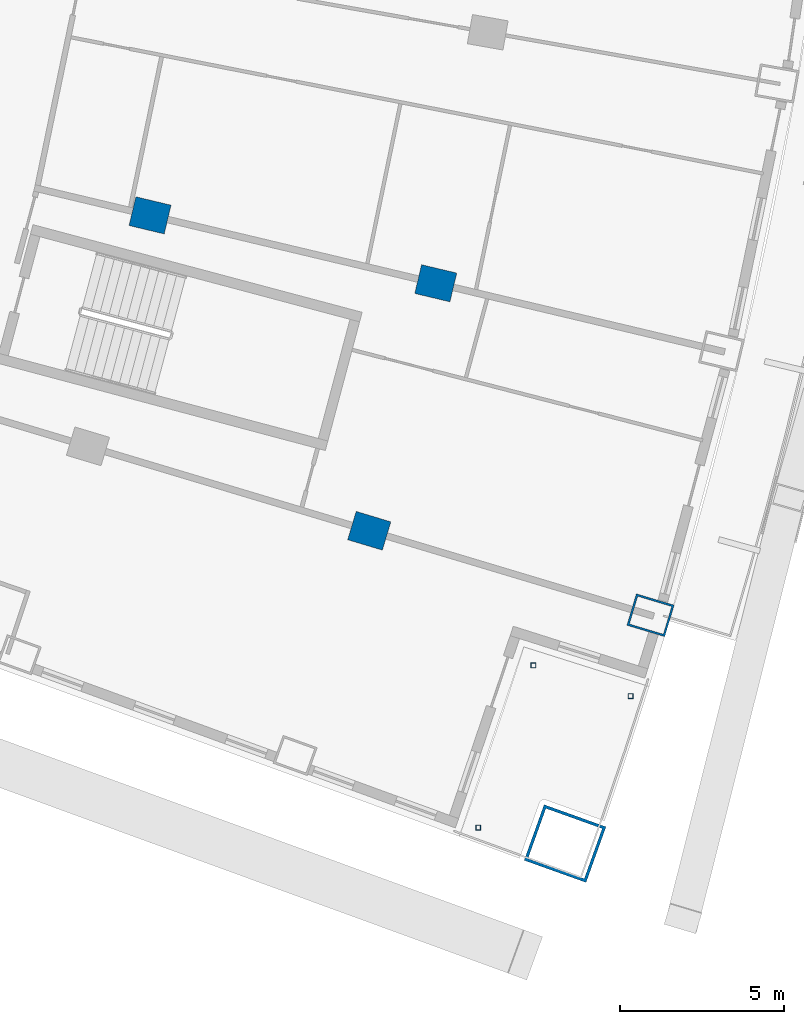
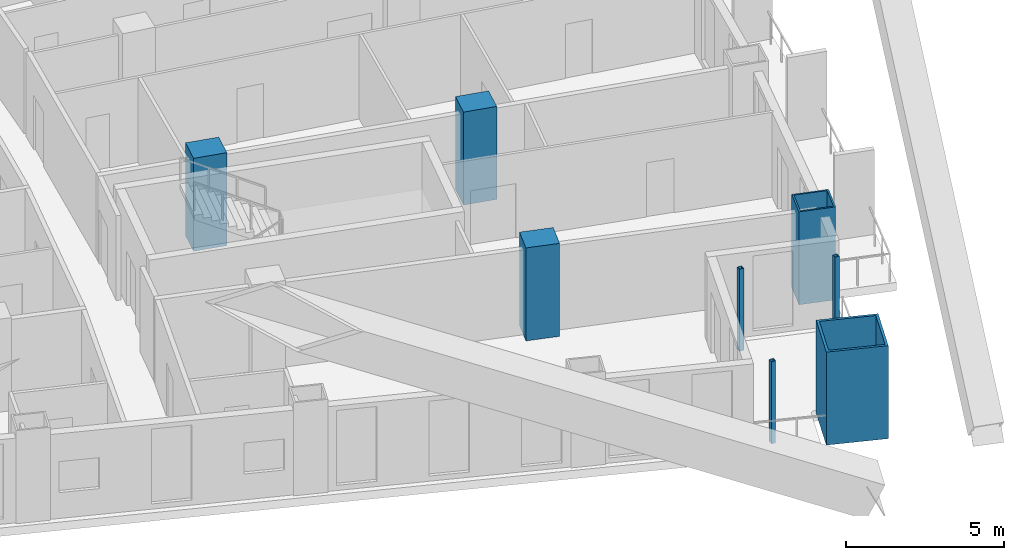
# One storey, part 4 of 23: 8 columns.
"""IFC4 building model written with IfcOpenShell, lengths in metres."""

from ifc_helpers import new_model, si_unit, direction, frame, origin, origin_2d, place, context, subcontext, project, spatial, rectangle, hollow_rectangle, extrude, material, material_profile, profile_set, type_object, element, save


model = new_model("IFC4")

# Units and contexts
model_context = context("Model", 3, precision=1e-05, world=origin(), true_north=direction((0.0, 1.0)))
body_context = subcontext(model_context, "Body", "Model", "MODEL_VIEW")
ifc_project = project(units=[si_unit("LENGTHUNIT", "METRE"), si_unit("AREAUNIT", "SQUARE_METRE"), si_unit("VOLUMEUNIT", "CUBIC_METRE"), si_unit("PLANEANGLEUNIT", "RADIAN"), si_unit("MASSUNIT", "GRAM", prefix="KILO")], contexts=[model_context])

# Site, building, storey
site_placement = place(None, origin())
site = spatial("IfcSite", under=ifc_project, at=site_placement, CompositionType="ELEMENT")
building_placement = place(site_placement, origin())
building = spatial("IfcBuilding", under=site, at=building_placement, Name="Alderwake Tower", CompositionType="ELEMENT")
storey_placement = place(building_placement, frame((0.0, 0.0, 53.60009765625)))
storey = spatial("IfcBuildingStorey", under=building, at=storey_placement, Name="L12", CompositionType="ELEMENT", Elevation=53.60009765625)

# Columns
ifc_material_1 = material(Name="Concrete C70/85", Category="concrete")
ifc_material_profile_1 = material_profile(ifc_material_1, rectangle(XDim=0.89990234375, YDim=1.10009765625, at=origin_2d()), Name="RC 1100X900")
ifc_profile_set_1 = profile_set([ifc_material_profile_1], Name="Concrete C70/85")
column_type_1 = type_object("IfcColumnType", Name="Interior column Z1", PredefinedType="COLUMN", material=ifc_profile_set_1)
for number, where, z_axis, x_axis, name in (
    (1, (48.021484375, 22.564208984375, 0.0), (0.0, 0.0, 1.0), (0.287549418125, 0.957765802342, 0.0), "Column R02-C4"),
    (2, (41.353271484375, 32.158935546875, 0.0), (0.0, 0.0, 1.0), (0.231221547198, 0.972901123502, 0.0), "Column R03-C3"),
    (3, (50.04443359375, 30.09326171875, 0.0), (0.0, 0.0, 1.0), (0.231221547198, 0.972901123502, 0.0), "Column R03-C4"),
):
    element("IfcColumn", number, at=place(storey_placement, frame(where, z_axis=z_axis, x_axis=x_axis)), inside=storey, type_object=column_type_1, Name=name, PredefinedType="COLUMN", context=body_context, shape_type="SweptSolid", body=[
        extrude(rectangle(XDim=0.89990234375, YDim=1.10009765625, at=origin_2d()), origin(), (0.0, 0.0, 1.0), 3.599853515625),
    ])
ifc_material_2 = material(Name="Steel ASTM A500 Grade C", Category="steel")
ifc_material_profile_2 = material_profile(ifc_material_2, hollow_rectangle(XDim=0.15234375, YDim=0.15234375, WallThickness=0.0087890625, at=origin_2d()), Name="HSS6X6X3/8")
ifc_profile_set_2 = profile_set([ifc_material_profile_2], Name="Steel ASTM A500 Grade C")
column_type_2 = type_object("IfcColumnType", Name="Light post HSS6X6X3/8", PredefinedType="COLUMN", material=ifc_profile_set_2)
for number, where, z_axis, x_axis, name in (
    (4, (55.9716796875, 17.5341796875, 0.0), (0.0, 0.0, 1.0), (1.0, 0.0, 0.0), "Terrace post FS1"),
    (5, (51.3369140625, 13.537353515625, 0.0), (0.0, 0.0, 1.0), (1.0, 0.0, 0.0), "Terrace post FS2"),
    (6, (53.015869140625, 18.46875, 0.0), (0.0, 0.0, 1.0), (1.0, 0.0, 0.0), "Terrace post FS3"),
):
    element("IfcColumn", number, at=place(storey_placement, frame(where, z_axis=z_axis, x_axis=x_axis)), inside=storey, type_object=column_type_2, Name=name, PredefinedType="COLUMN", context=body_context, shape_type="SweptSolid", body=[
        extrude(hollow_rectangle(XDim=0.15234375, YDim=0.15234375, WallThickness=0.0087890625, at=origin_2d()), origin(), (0.0, 0.0, 1.0), 3.179931640625),
    ])
ifc_material_3 = material(Name="Steel ASTM A572 Grade 50 concrete filled C70/85", Category="concrete")
ifc_material_profile_3 = material_profile(ifc_material_3, hollow_rectangle(XDim=1.800048828125, YDim=2.0, WallThickness=0.090087890625, at=origin_2d()), Name="BOX 2000X1800X90")
ifc_profile_set_3 = profile_set([ifc_material_profile_3], Name="Steel ASTM A572 Grade 50 concrete filled C70/85")
column_type_3 = type_object("IfcColumnType", Name="Mega column Z1", PredefinedType="COLUMN", material=ifc_profile_set_3)
column_1_placement = place(storey_placement, frame((53.97802734375, 13.05029296875, 0.0), z_axis=(0.0, 0.0, 1.0), x_axis=(0.336962157792, 0.941518191123, 0.0)))
element("IfcColumn", 7, at=column_1_placement, inside=storey, type_object=column_type_3, Name="Column R01-C5", PredefinedType="COLUMN", context=body_context, shape_type="SweptSolid", body=[
    extrude(hollow_rectangle(XDim=1.800048828125, YDim=2.0, WallThickness=0.090087890625, at=origin_2d()), origin(), (0.0, 0.0, 1.0), 3.599853515625),
])
ifc_material_4 = material(Name="Steel ASTM A572 Grade 50 concrete filled C70/85", Category="concrete")
ifc_material_profile_4 = material_profile(ifc_material_4, hollow_rectangle(XDim=1.0, YDim=1.199951171875, WallThickness=0.06005859375, at=origin_2d()), Name="BOX 1200X1000X60")
ifc_profile_set_4 = profile_set([ifc_material_profile_4], Name="Steel ASTM A572 Grade 50 concrete filled C70/85")
column_type_4 = type_object("IfcColumnType", Name="Perimeter column Z1", PredefinedType="COLUMN", material=ifc_profile_set_4)
column_2_placement = place(storey_placement, frame((56.577392578125, 19.99560546875, 0.0), z_axis=(0.0, 0.0, 1.0), x_axis=(0.287549418125, 0.957765802342, 0.0)))
element("IfcColumn", 8, at=column_2_placement, inside=storey, type_object=column_type_4, Name="Column R02-C5", PredefinedType="COLUMN", context=body_context, shape_type="SweptSolid", body=[
    extrude(hollow_rectangle(XDim=1.0, YDim=1.199951171875, WallThickness=0.06005859375, at=origin_2d()), origin(), (0.0, 0.0, 1.0), 3.599853515625),
])

save(model, "model.ifc")
